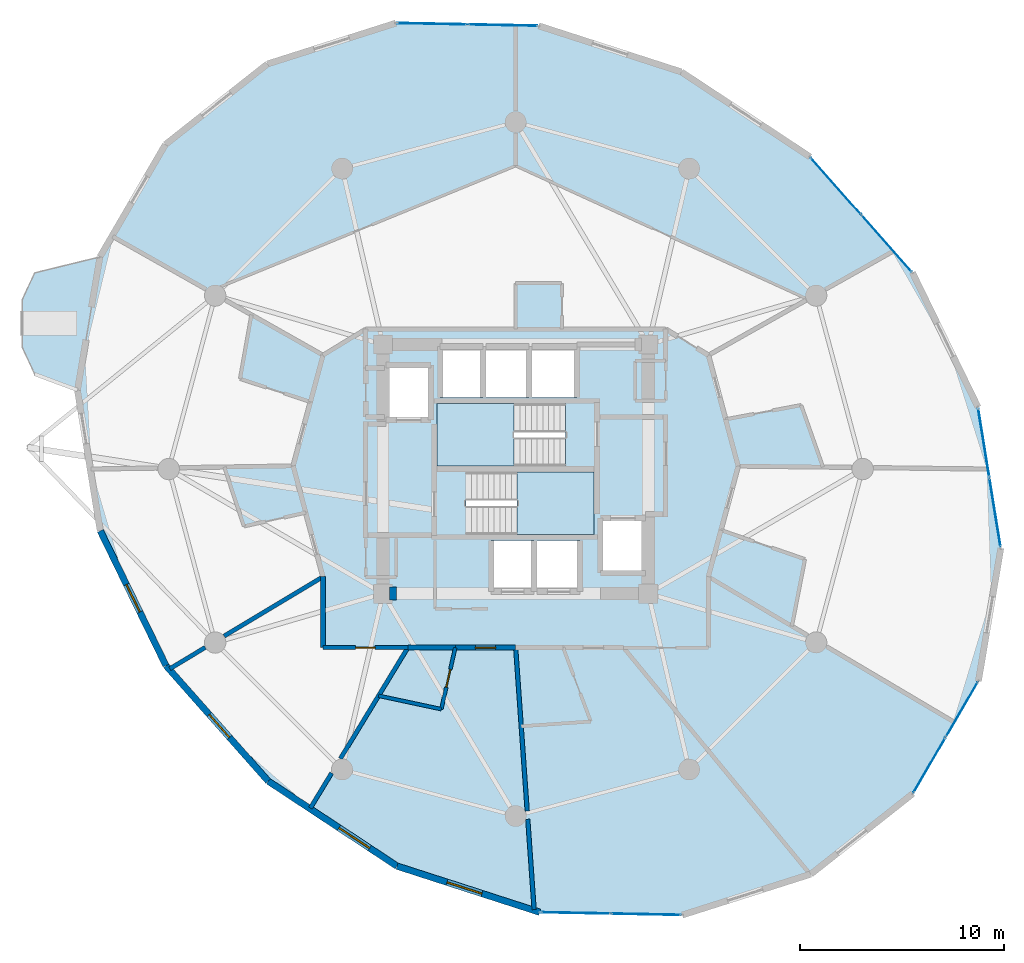
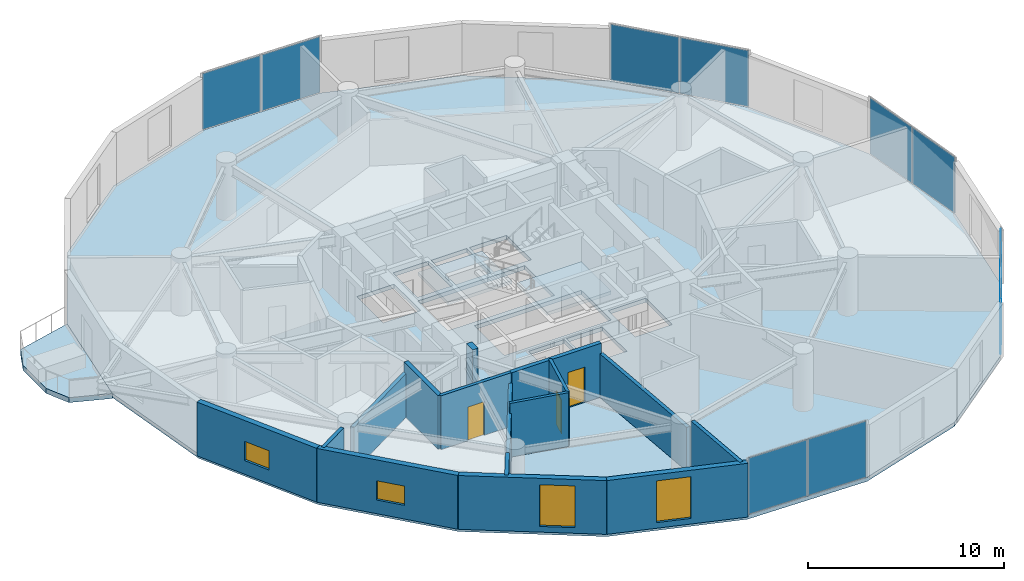
# One storey, part 14 of 20: 17 walls, 10 plates, 4 slabs, 4 windows, 3 doors, 7 openings, 7 elements without a shape of their own.
"""IFC4 building model written with IfcOpenShell, lengths in metres."""

from ifc_helpers import new_model, si_unit, direction, frame, frame_2d, origin, origin_2d, place, context, subcontext, project, spatial, polyline, rectangle, outline, extrude, source, transform, mapped, material, layer, layer_set, type_object, element, fill, aggregate, save


model = new_model("IFC4")

# Units and contexts
model_context = context("Model", 3, precision=1e-05, world=origin(), true_north=direction((0.0, 1.0)))
body_context = subcontext(model_context, "Body", "Model", "MODEL_VIEW")
ifc_project = project(units=[si_unit("LENGTHUNIT", "METRE"), si_unit("AREAUNIT", "SQUARE_METRE"), si_unit("VOLUMEUNIT", "CUBIC_METRE"), si_unit("PLANEANGLEUNIT", "RADIAN"), si_unit("MASSUNIT", "GRAM", prefix="KILO")], contexts=[model_context])

# Site, building, storey
site_placement = place(None, origin())
site = spatial("IfcSite", under=ifc_project, at=site_placement, CompositionType="ELEMENT")
building_placement = place(site_placement, origin())
building = spatial("IfcBuilding", under=site, at=building_placement, Name="Solvirekh Grand Hotel", CompositionType="ELEMENT")
storey_placement = place(building_placement, frame((0.0, 0.0, 135.0)))
storey = spatial("IfcBuildingStorey", under=building, at=storey_placement, Name="L34", CompositionType="ELEMENT", Elevation=135.0)

# Slab
ifc_material_1 = material(Name="Concrete C50/60", Category="concrete")
ifc_layer_1 = layer(ifc_material_1, 0.31005859375)
ifc_layer_set_1 = layer_set([ifc_layer_1], Name="Concrete C50/60")
slab_type_1 = type_object("IfcSlabType", Name="ExtHornSkyGarden_310", PredefinedType="FLOOR", material=ifc_layer_set_1)
slab_1_placement = place(storey_placement, frame((0.0, 0.0, -0.31005859375)))
element("IfcSlab", 1, at=slab_1_placement, inside=storey, type_object=slab_type_1, Name="L34 west horn sky-garden deck", PredefinedType="FLOOR", context=body_context, shape_type="SweptSolid", body=[
    extrude(outline(polyline([(-23.568115234375, 9.610107421875), (-24.16796875, 8.305908203125), (-24.16796875, 5.958984375), (-23.568115234375, 4.655029296875), (-21.468017578125, 3.8720703125), (-20.368896484375, 10.39306640625), (-23.568115234375, 9.610107421875)])), origin(), (0.0, 0.0, 1.0), 0.31005859375),
])

# Stair, slab
ifc_material_2 = material(Name="Concrete C40/50", Category="concrete")
stair_type = type_object("IfcStairType", Name="Stair_Core_1450", PredefinedType="HALF_TURN_STAIR", material=ifc_material_2)
stair_1_placement = place(storey_placement, origin())
stair_1 = element("IfcStair", 2, at=stair_1_placement, inside=storey, type_object=stair_type, Name="L34 Enclosed exit stair ST-1", PredefinedType="HALF_TURN_STAIR")
ifc_layer_2 = layer(ifc_material_2, 0.199951171875)
ifc_layer_set_2 = layer_set([ifc_layer_2], Name="Concrete C40/50")
slab_type_2 = type_object("IfcSlabType", Name="Landing_Stair_200", PredefinedType="LANDING", material=ifc_layer_set_2)
slab_2_placement = place(storey_placement, frame((0.0, 0.0, 1.60009765625)))
slab_2 = element("IfcSlab", 3, at=slab_2_placement, type_object=slab_type_2, Name="ST-1 landing 1", PredefinedType="LANDING", context=body_context, shape_type="SweptSolid", body=[
    extrude(outline(polyline([(0.070068359375, -3.199951171875), (3.85009765625, -3.199951171875), (3.85009765625, -0.14990234375), (0.070068359375, -0.14990234375), (0.070068359375, -3.199951171875)])), origin(), (0.0, 0.0, 1.0), 0.199951171875),
])
aggregate(stair_1, [slab_2])

stair_2_placement = place(storey_placement, origin())
stair_2 = element("IfcStair", 4, at=stair_2_placement, inside=storey, type_object=stair_type, Name="L34 Enclosed exit stair ST-2", PredefinedType="HALF_TURN_STAIR")
slab_3_placement = place(storey_placement, frame((0.0, 0.0, 1.60009765625)))
slab_3 = element("IfcSlab", 5, at=slab_3_placement, type_object=slab_type_2, Name="ST-2 landing 1", PredefinedType="LANDING", context=body_context, shape_type="SweptSolid", body=[
    extrude(outline(polyline([(-0.070068359375, 3.199951171875), (-3.85009765625, 3.199951171875), (-3.85009765625, 0.14990234375), (-0.070068359375, 0.14990234375), (-0.070068359375, 3.199951171875)])), origin(), (0.0, 0.0, 1.0), 0.199951171875),
])
aggregate(stair_2, [slab_3])

# Slab
ifc_layer_3 = layer(ifc_material_1, 0.25)
ifc_layer_set_3 = layer_set([ifc_layer_3], Name="Concrete C50/60")
slab_type_3 = type_object("IfcSlabType", Name="Slab_GuestZ2_250", PredefinedType="FLOOR", material=ifc_layer_set_3)
slab_4_placement = place(storey_placement, frame((0.0, 0.0, -0.25)))
element("IfcSlab", 6, at=slab_4_placement, inside=storey, type_object=slab_type_3, Name="L34 structural floor slab", PredefinedType="FLOOR", context=body_context, shape_type="SweptSolid", body=[
    extrude(outline(polyline([(19.462890625, -15.89697265625), (22.6689453125, -10.39306640625), (23.76806640625, -3.8720703125), (22.653076171875, 3.028076171875), (19.43408203125, 9.631103515625), (14.425048828125, 15.2919921875), (8.115966796875, 19.4560546875), (1.125, 21.715087890625), (-5.863037109375, 21.84912109375), (-12.1640625, 19.843994140625), (-17.1630859375, 15.89697265625), (-20.368896484375, 10.39306640625), (-21.468017578125, 3.8720703125), (-20.35302734375, -3.028076171875), (-17.134033203125, -9.631103515625), (-12.125, -15.2919921875), (-5.81591796875, -19.4560546875), (1.175048828125, -21.715087890625), (8.1630859375, -21.84912109375), (14.464111328125, -19.843994140625), (19.462890625, -15.89697265625)]), holes=[polyline([(-2.444091796875, -0.14990234375), (3.85009765625, -0.14990234375), (3.85009765625, -3.199951171875), (-2.444091796875, -3.199951171875), (-2.444091796875, -0.14990234375)]), polyline([(2.444091796875, 0.14990234375), (-3.85009765625, 0.14990234375), (-3.85009765625, 3.199951171875), (2.444091796875, 3.199951171875), (2.444091796875, 0.14990234375)]), polyline([(-1.199951171875, -3.5), (0.89990234375, -3.5), (0.89990234375, -6.0), (-1.199951171875, -6.0), (-1.199951171875, -3.5)]), polyline([(1.050048828125, -3.5), (3.14990234375, -3.5), (3.14990234375, -6.0), (1.050048828125, -6.0), (1.050048828125, -3.5)]), polyline([(-3.699951171875, 6.0), (-1.60009765625, 6.0), (-1.60009765625, 3.5), (-3.699951171875, 3.5), (-3.699951171875, 6.0)]), polyline([(-1.449951171875, 6.0), (0.64990234375, 6.0), (0.64990234375, 3.5), (-1.449951171875, 3.5), (-1.449951171875, 6.0)]), polyline([(0.800048828125, 6.0), (3.0, 6.0), (3.0, 3.5), (0.800048828125, 3.5), (0.800048828125, 6.0)]), polyline([(-6.35009765625, 5.10009765625), (-4.14990234375, 5.10009765625), (-4.14990234375, 2.39990234375), (-6.35009765625, 2.39990234375), (-6.35009765625, 5.10009765625)]), polyline([(4.14990234375, -2.39990234375), (6.35009765625, -2.39990234375), (6.35009765625, -5.10009765625), (4.14990234375, -5.10009765625), (4.14990234375, -2.39990234375)])]), origin(), (0.0, 0.0, 1.0), 0.25),
])

# Curtain wall, plates
ifc_material_3 = material(Name="Anodized Bronze Aluminium 6063-T6", Category="aluminium")
ifc_layer_4 = layer(ifc_material_3, 0.175048828125)
ifc_layer_set_4 = layer_set([ifc_layer_4], Name="Anodized Bronze Aluminium 6063-T6")
curtain_wall_type = type_object("IfcCurtainWallType", Name="CW_Sys3_MidZoneFlushBronzeCW", PredefinedType="NOTDEFINED", material=ifc_layer_set_4)
curtain_wall_1_placement = place(storey_placement, origin())
curtain_wall_1 = element("IfcCurtainWall", 7, at=curtain_wall_1_placement, inside=storey, type_object=curtain_wall_type, Name="L34 unitised bronze-glass curtain wall CW-L34-C03", PredefinedType="NOTDEFINED")
ifc_material_4 = material(Name="Low-E Tinted Bronze Laminated Glass", Category="aluminium")
ifc_layer_5 = layer(ifc_material_4, 0.035888671875)
ifc_layer_set_5 = layer_set([ifc_layer_5], Name="Low-E Tinted Bronze Laminated Glass")
plate_type = type_object("IfcPlateType", Name="CWPanel_Mid_36", PredefinedType="CURTAIN_PANEL", material=ifc_layer_set_5)
shared_shape_1 = source(origin(), body_context, "Body", "SweptSolid", [
    extrude(rectangle(XDim=3.397216796875, YDim=0.035888671875, at=origin_2d()), origin(), (0.0, 0.0, 1.0), 3.489990234375),
])
plate_1_placement = place(storey_placement, frame((23.486572265625, -2.130859375, 0.05517578125), z_axis=(0.0, 0.0, 1.0), x_axis=(-0.159524814429, 0.987193918935, 0.0)))
plate_1 = element("IfcPlate", 8, at=plate_1_placement, type_object=plate_type, Name="U03 panel 1.1", PredefinedType="CURTAIN_PANEL", context=body_context, shape_type="MappedRepresentation", body=[
    mapped(shared_shape_1, transform((0.0, 0.0, 0.0), x_axis=(1.0, 0.0, 0.0), y_axis=(0.0, 1.0, 0.0), z_axis=(0.0, 0.0, 1.0), scale=1.0)),
])
plate_2_placement = place(storey_placement, frame((22.934326171875, 1.286865234375, 0.05517578125), z_axis=(0.0, 0.0, 1.0), x_axis=(-0.159524814429, 0.987193918935, 0.0)))
plate_2 = element("IfcPlate", 9, at=plate_2_placement, type_object=plate_type, Name="U03 panel 2.1", PredefinedType="CURTAIN_PANEL", context=body_context, shape_type="MappedRepresentation", body=[
    mapped(shared_shape_1, transform((0.0, 0.0, 0.0), x_axis=(1.0, 0.0, 0.0), y_axis=(0.0, 1.0, 0.0), z_axis=(0.0, 0.0, 1.0), scale=1.0)),
])
aggregate(curtain_wall_1, [plate_1, plate_2])

curtain_wall_2_placement = place(storey_placement, origin())
curtain_wall_2 = element("IfcCurtainWall", 10, at=curtain_wall_2_placement, inside=storey, type_object=curtain_wall_type, Name="L34 unitised bronze-glass curtain wall CW-L34-C08", PredefinedType="NOTDEFINED")
plate_3_placement = place(storey_placement, frame((-0.63818359375, 21.748779296875, 0.05517578125), z_axis=(0.0, 0.0, 1.0), x_axis=(-0.999816196381, 0.019172205256, 0.0)))
plate_3 = element("IfcPlate", 11, at=plate_3_placement, type_object=plate_type, Name="U03 panel 1.1", PredefinedType="CURTAIN_PANEL", context=body_context, shape_type="MappedRepresentation", body=[
    mapped(shared_shape_1, transform((0.0, 0.0, 0.0), x_axis=(1.0, 0.0, 0.0), y_axis=(0.0, 1.0, 0.0), z_axis=(0.0, 0.0, 1.0), scale=1.0)),
])
plate_4_placement = place(storey_placement, frame((-4.099853515625, 21.815185546875, 0.05517578125), z_axis=(0.0, 0.0, 1.0), x_axis=(-0.999816196381, 0.019172205256, 0.0)))
plate_4 = element("IfcPlate", 12, at=plate_4_placement, type_object=plate_type, Name="U03 panel 2.1", PredefinedType="CURTAIN_PANEL", context=body_context, shape_type="MappedRepresentation", body=[
    mapped(shared_shape_1, transform((0.0, 0.0, 0.0), x_axis=(1.0, 0.0, 0.0), y_axis=(0.0, 1.0, 0.0), z_axis=(0.0, 0.0, 1.0), scale=1.0)),
])
aggregate(curtain_wall_2, [plate_3, plate_4])

curtain_wall_3_placement = place(storey_placement, origin())
curtain_wall_3 = element("IfcCurtainWall", 13, at=curtain_wall_3_placement, inside=storey, type_object=curtain_wall_type, Name="L34 unitised bronze-glass curtain wall CW-L34-C18", PredefinedType="NOTDEFINED")
plate_5_placement = place(storey_placement, frame((2.938232421875, -21.748779296875, 0.05517578125), z_axis=(0.0, 0.0, 1.0), x_axis=(0.999816196381, -0.019172205256, 0.0)))
plate_5 = element("IfcPlate", 14, at=plate_5_placement, type_object=plate_type, Name="U03 panel 1.1", PredefinedType="CURTAIN_PANEL", context=body_context, shape_type="MappedRepresentation", body=[
    mapped(shared_shape_1, transform((0.0, 0.0, 0.0), x_axis=(1.0, 0.0, 0.0), y_axis=(0.0, 1.0, 0.0), z_axis=(0.0, 0.0, 1.0), scale=1.0)),
])
plate_6_placement = place(storey_placement, frame((6.399658203125, -21.815185546875, 0.05517578125), z_axis=(0.0, 0.0, 1.0), x_axis=(0.999816196381, -0.019172205256, 0.0)))
plate_6 = element("IfcPlate", 15, at=plate_6_placement, type_object=plate_type, Name="U03 panel 2.1", PredefinedType="CURTAIN_PANEL", context=body_context, shape_type="MappedRepresentation", body=[
    mapped(shared_shape_1, transform((0.0, 0.0, 0.0), x_axis=(1.0, 0.0, 0.0), y_axis=(0.0, 1.0, 0.0), z_axis=(0.0, 0.0, 1.0), scale=1.0)),
])
aggregate(curtain_wall_3, [plate_5, plate_6])

curtain_wall_4_placement = place(storey_placement, origin())
curtain_wall_4 = element("IfcCurtainWall", 16, at=curtain_wall_4_placement, inside=storey, type_object=curtain_wall_type, Name="L34 unitised bronze-glass curtain wall CW-L34-C05", PredefinedType="NOTDEFINED")
shared_shape_2 = source(origin(), body_context, "Body", "SweptSolid", [
    extrude(rectangle(XDim=3.681884765625, YDim=0.035888671875, at=origin_2d()), origin(), (0.0, 0.0, 1.0), 3.489990234375),
])
plate_7_placement = place(storey_placement, frame((18.1708984375, 11.058349609375, 0.05517578125), z_axis=(0.0, 0.0, 1.0), x_axis=(-0.662662366574, 0.748918278537, 0.0)))
plate_7 = element("IfcPlate", 17, at=plate_7_placement, type_object=plate_type, Name="U03 panel 1.1", PredefinedType="CURTAIN_PANEL", context=body_context, shape_type="MappedRepresentation", body=[
    mapped(shared_shape_2, transform((0.0, 0.0, 0.0), x_axis=(1.0, 0.0, 0.0), y_axis=(0.0, 1.0, 0.0), z_axis=(0.0, 0.0, 1.0), scale=1.0)),
])
plate_8_placement = place(storey_placement, frame((15.68798828125, 13.864501953125, 0.05517578125), z_axis=(0.0, 0.0, 1.0), x_axis=(-0.662662366574, 0.748918278537, 0.0)))
plate_8 = element("IfcPlate", 18, at=plate_8_placement, type_object=plate_type, Name="U03 panel 2.1", PredefinedType="CURTAIN_PANEL", context=body_context, shape_type="MappedRepresentation", body=[
    mapped(shared_shape_2, transform((0.0, 0.0, 0.0), x_axis=(1.0, 0.0, 0.0), y_axis=(0.0, 1.0, 0.0), z_axis=(0.0, 0.0, 1.0), scale=1.0)),
])
aggregate(curtain_wall_4, [plate_7, plate_8])

curtain_wall_5_placement = place(storey_placement, origin())
curtain_wall_5 = element("IfcCurtainWall", 19, at=curtain_wall_5_placement, inside=storey, type_object=curtain_wall_type, Name="L34 unitised bronze-glass curtain wall CW-L34-C01", PredefinedType="NOTDEFINED")
shared_shape_3 = source(origin(), body_context, "Body", "SweptSolid", [
    extrude(rectangle(XDim=3.08740234375, YDim=0.035888671875, at=origin_2d()), origin(), (0.0, 0.0, 1.0), 3.489990234375),
])
plate_9_placement = place(storey_placement, frame((20.272705078125, -14.507080078125, 0.05517578125), z_axis=(0.0, 0.0, 1.0), x_axis=(0.503324291014, 0.864097597541, 0.0)))
plate_9 = element("IfcPlate", 20, at=plate_9_placement, type_object=plate_type, Name="U03 panel 1.1", PredefinedType="CURTAIN_PANEL", context=body_context, shape_type="MappedRepresentation", body=[
    mapped(shared_shape_3, transform((0.0, 0.0, 0.0), x_axis=(1.0, 0.0, 0.0), y_axis=(0.0, 1.0, 0.0), z_axis=(0.0, 0.0, 1.0), scale=1.0)),
])
plate_10_placement = place(storey_placement, frame((21.859375, -11.782958984375, 0.05517578125), z_axis=(0.0, 0.0, 1.0), x_axis=(0.503324291014, 0.864097597541, 0.0)))
plate_10 = element("IfcPlate", 21, at=plate_10_placement, type_object=plate_type, Name="U03 panel 2.1", PredefinedType="CURTAIN_PANEL", context=body_context, shape_type="MappedRepresentation", body=[
    mapped(shared_shape_3, transform((0.0, 0.0, 0.0), x_axis=(1.0, 0.0, 0.0), y_axis=(0.0, 1.0, 0.0), z_axis=(0.0, 0.0, 1.0), scale=1.0)),
])
aggregate(curtain_wall_5, [plate_9, plate_10])

# Wall
ifc_layer_6 = layer(ifc_material_1, 0.64990234375)
ifc_layer_set_6 = layer_set([ifc_layer_6], Name="Concrete C50/60")
wall_type_1 = type_object("IfcWallType", Name="CoreWall_RC650", PredefinedType="SHEAR", material=ifc_layer_set_6)
wall_1_placement = place(storey_placement, frame((-6.175048828125, -6.10009765625, 0.0), z_axis=(0.0, 0.0, 1.0), x_axis=(1.0, 0.0, 0.0)))
element("IfcWall", 22, at=wall_1_placement, inside=storey, type_object=wall_type_1, Name="L34 core corner shear wall SW-S", PredefinedType="SHEAR", context=body_context, shape_type="SweptSolid", body=[
    extrude(rectangle(XDim=0.324951171875, YDim=0.64990234375, at=frame_2d((0.16259765625, 0.0))), origin(), (0.0, 0.0, 1.0), 3.60009765625),
])

# Wall, opening, window
ifc_material_5 = material(Name="Precast concrete C45/55", Category="concrete")
ifc_layer_7 = layer(ifc_material_5, 0.320068359375)
ifc_layer_set_7 = layer_set([ifc_layer_7], Name="Precast concrete C45/55")
wall_type_2 = type_object("IfcWallType", Name="ExtLobbyWall_RC320", PredefinedType="SOLIDWALL", material=ifc_layer_set_7)
wall_2_placement = place(storey_placement, frame((-17.134033203125, -9.631103515625, 0.0), z_axis=(0.0, 0.0, 1.0), x_axis=(-0.438204261182, 0.898875422671, 0.0)))
wall_2 = element("IfcWall", 23, at=wall_2_placement, inside=storey, type_object=wall_type_2, Name="L34 cantilevered deck support wall chord 14", PredefinedType="SOLIDWALL", context=body_context, shape_type="SweptSolid", body=[
    extrude(rectangle(XDim=7.345947265625, YDim=0.320068359375, at=frame_2d((3.6728515625, 0.0))), origin(), (0.0, 0.0, 1.0), 3.35009765625),
])
opening_1_placement = place(wall_2_placement, frame((2.923095703125, 0.0, 0.85009765625)))
opening_1 = element("IfcOpeningElement", 24, at=opening_1_placement, cuts=wall_2, Name="Opening W05", PredefinedType="OPENING", context=body_context, shape_type="SweptSolid", body=[
    extrude(rectangle(XDim=1.5, YDim=1.199951171875, at=frame_2d((0.75, 0.60009765625))), frame((0.0, 0.169921875, 0.0), z_axis=(0.0, -1.0, 0.0), x_axis=(1.0, 0.0, 0.0)), (0.0, 0.0, 1.0), 0.340087890625),
])
window_type_1 = type_object("IfcWindowType", Name="Win_PlantVent_1500X1200", PartitioningType="SINGLE_PANEL", PredefinedType="WINDOW", material=ifc_material_4)
window_1_placement = place(opening_1_placement, origin())
window_1 = element("IfcWindow", 25, at=window_1_placement, inside=storey, type_object=window_type_1, Name="L34 bronze-framed vision ribbon window 14", OverallHeight=1.199951171875, OverallWidth=1.5, PartitioningType="SINGLE_PANEL", PredefinedType="WINDOW", context=body_context, shape_type="SweptSolid", body=[
    extrude(rectangle(XDim=1.5, YDim=1.199951171875, at=frame_2d((0.75, 0.60009765625))), frame((0.0, 0.030029296875, 0.0), z_axis=(0.0, -1.0, 0.0), x_axis=(1.0, 0.0, 0.0)), (0.0, 0.0, 1.0), 0.06005859375),
])
fill(opening_1, window_1)

wall_3_placement = place(storey_placement, frame((-12.125, -15.2919921875, 0.0), z_axis=(0.0, 0.0, 1.0), x_axis=(-0.662672139557, 0.748909631033, 0.0)))
wall_3 = element("IfcWall", 26, at=wall_3_placement, inside=storey, type_object=wall_type_2, Name="L34 cantilevered deck support wall chord 15", PredefinedType="SOLIDWALL", context=body_context, shape_type="SweptSolid", body=[
    extrude(rectangle(XDim=7.558837890625, YDim=0.320068359375, at=frame_2d((3.779296875, 0.0))), origin(), (0.0, 0.0, 1.0), 3.35009765625),
])
opening_2_placement = place(wall_3_placement, frame((2.860107421875, 0.0, 0.85009765625)))
opening_2 = element("IfcOpeningElement", 27, at=opening_2_placement, cuts=wall_3, Name="Opening W05", PredefinedType="OPENING", context=body_context, shape_type="SweptSolid", body=[
    extrude(rectangle(XDim=1.5, YDim=1.199951171875, at=frame_2d((0.75, 0.60009765625))), frame((0.0, 0.169921875, 0.0), z_axis=(0.0, -1.0, 0.0), x_axis=(1.0, 0.0, 0.0)), (0.0, 0.0, 1.0), 0.340087890625),
])
window_2_placement = place(opening_2_placement, origin())
window_2 = element("IfcWindow", 28, at=window_2_placement, inside=storey, type_object=window_type_1, Name="L34 bronze-framed vision ribbon window 15", OverallHeight=1.199951171875, OverallWidth=1.5, PartitioningType="SINGLE_PANEL", PredefinedType="WINDOW", context=body_context, shape_type="SweptSolid", body=[
    extrude(rectangle(XDim=1.5, YDim=1.199951171875, at=frame_2d((0.75, 0.60009765625))), frame((0.0, 0.030029296875, 0.0), z_axis=(0.0, -1.0, 0.0), x_axis=(1.0, 0.0, 0.0)), (0.0, 0.0, 1.0), 0.06005859375),
])
fill(opening_2, window_2)

wall_4_placement = place(storey_placement, frame((-5.81591796875, -19.4560546875, 0.0), z_axis=(0.0, 0.0, 1.0), x_axis=(-0.834605249122, 0.550848507431, 0.0)))
wall_4 = element("IfcWall", 29, at=wall_4_placement, inside=storey, type_object=wall_type_2, Name="L34 exterior structural wall chord 16", PredefinedType="SOLIDWALL", context=body_context, shape_type="SweptSolid", body=[
    extrude(rectangle(XDim=7.559326171875, YDim=0.320068359375, at=frame_2d((3.77978515625, 0.0))), origin(), (0.0, 0.0, 1.0), 3.35009765625),
])
opening_3_placement = place(wall_4_placement, frame((1.60498046875, 0.0, 0.35009765625)))
opening_3 = element("IfcOpeningElement", 30, at=opening_3_placement, cuts=wall_4, Name="Opening W02", PredefinedType="OPENING", context=body_context, shape_type="SweptSolid", body=[
    extrude(rectangle(XDim=1.800048828125, YDim=2.60009765625, at=frame_2d((0.89990234375, 1.300048828125))), frame((0.0, 0.169921875, 0.0), z_axis=(0.0, -1.0, 0.0), x_axis=(1.0, 0.0, 0.0)), (0.0, 0.0, 1.0), 0.340087890625),
])
window_type_2 = type_object("IfcWindowType", Name="Win_LobbyExt_1800X2600", PartitioningType="SINGLE_PANEL", PredefinedType="WINDOW", material=ifc_material_4)
window_3_placement = place(opening_3_placement, origin())
window_3 = element("IfcWindow", 31, at=window_3_placement, inside=storey, type_object=window_type_2, Name="L34 panoramic bronze-framed window 16", OverallHeight=2.60009765625, OverallWidth=1.800048828125, PartitioningType="SINGLE_PANEL", PredefinedType="WINDOW", context=body_context, shape_type="SweptSolid", body=[
    extrude(rectangle(XDim=1.800048828125, YDim=2.60009765625, at=frame_2d((0.89990234375, 1.300048828125))), frame((0.0, 0.030029296875, 0.0), z_axis=(0.0, -1.0, 0.0), x_axis=(1.0, 0.0, 0.0)), (0.0, 0.0, 1.0), 0.06005859375),
])
fill(opening_3, window_3)

wall_5_placement = place(storey_placement, frame((1.175048828125, -21.715087890625, 0.0), z_axis=(0.0, 0.0, 1.0), x_axis=(-0.951554090089, 0.307481403722, 0.0)))
wall_5 = element("IfcWall", 32, at=wall_5_placement, inside=storey, type_object=wall_type_2, Name="L34 exterior structural wall chord 17", PredefinedType="SOLIDWALL", context=body_context, shape_type="SweptSolid", body=[
    extrude(rectangle(XDim=7.346923828125, YDim=0.320068359375, at=frame_2d((3.67333984375, 0.0))), origin(), (0.0, 0.0, 1.0), 3.35009765625),
])
opening_4_placement = place(wall_5_placement, frame((2.970947265625, 0.0, 0.35009765625)))
opening_4 = element("IfcOpeningElement", 33, at=opening_4_placement, cuts=wall_5, Name="Opening W02", PredefinedType="OPENING", context=body_context, shape_type="SweptSolid", body=[
    extrude(rectangle(XDim=1.800048828125, YDim=2.60009765625, at=frame_2d((0.89990234375, 1.300048828125))), frame((0.0, 0.169921875, 0.0), z_axis=(0.0, -1.0, 0.0), x_axis=(1.0, 0.0, 0.0)), (0.0, 0.0, 1.0), 0.340087890625),
])
window_4_placement = place(opening_4_placement, origin())
window_4 = element("IfcWindow", 34, at=window_4_placement, inside=storey, type_object=window_type_2, Name="L34 panoramic bronze-framed window 17", OverallHeight=2.60009765625, OverallWidth=1.800048828125, PartitioningType="SINGLE_PANEL", PredefinedType="WINDOW", context=body_context, shape_type="SweptSolid", body=[
    extrude(rectangle(XDim=1.800048828125, YDim=2.60009765625, at=frame_2d((0.89990234375, 1.300048828125))), frame((0.0, 0.030029296875, 0.0), z_axis=(0.0, -1.0, 0.0), x_axis=(1.0, 0.0, 0.0)), (0.0, 0.0, 1.0), 0.06005859375),
])
fill(opening_4, window_4)

# Walls
ifc_material_6 = material(Name="Acoustic Gypsum Partition Assembly")
ifc_layer_8 = layer(ifc_material_6, 0.239990234375)
ifc_layer_set_8 = layer_set([ifc_layer_8], Name="Acoustic Gypsum Partition Assembly")
wall_type_3 = type_object("IfcWallType", Name="Part_Corridor_240", PredefinedType="PARTITIONING", material=ifc_layer_set_8)
wall_6_placement = place(storey_placement, frame((-9.43994140625, -5.27490234375, 0.0), z_axis=(0.0, 0.0, 1.0), x_axis=(0.0, -1.0, 0.0)))
element("IfcWall", 35, at=wall_6_placement, inside=storey, type_object=wall_type_3, Name="L34 L34 Presidential Reception corridor wall 1", PredefinedType="PARTITIONING", context=body_context, shape_type="SweptSolid", body=[
    extrude(rectangle(XDim=3.47509765625, YDim=0.239990234375, at=frame_2d((1.737548828125, 0.0))), origin(), (0.0, 0.0, 1.0), 3.35009765625),
])
wall_7_placement = place(storey_placement, frame((-5.285888671875, -8.75, 0.0), z_axis=(0.0, 0.0, 1.0), x_axis=(1.0, 0.0, 0.0)))
element("IfcWall", 36, at=wall_7_placement, inside=storey, type_object=wall_type_3, Name="L34 En-suite Bathroom 3606 corridor backing wall", PredefinedType="PARTITIONING", context=body_context, shape_type="SweptSolid", body=[
    extrude(rectangle(XDim=2.325927734375, YDim=0.239990234375, at=frame_2d((1.1630859375, 0.0))), origin(), (0.0, 0.0, 1.0), 3.35009765625),
])

# Wall, opening, door
wall_8_placement = place(storey_placement, frame((-2.9599609375, -8.75, 0.0), z_axis=(0.0, 0.0, 1.0), x_axis=(1.0, 0.0, 0.0)))
wall_8 = element("IfcWall", 37, at=wall_8_placement, inside=storey, type_object=wall_type_3, Name="L34 Deluxe Guestroom 3606 entrance wall", PredefinedType="PARTITIONING", context=body_context, shape_type="SweptSolid", body=[
    extrude(rectangle(XDim=2.9599609375, YDim=0.239990234375, at=frame_2d((1.47998046875, 0.0))), origin(), (0.0, 0.0, 1.0), 3.35009765625),
])
opening_5_placement = place(wall_8_placement, frame((0.97998046875, 0.0, 0.0)))
opening_5 = element("IfcOpeningElement", 38, at=opening_5_placement, cuts=wall_8, Name="Opening D07", PredefinedType="OPENING", context=body_context, shape_type="SweptSolid", body=[
    extrude(rectangle(XDim=1.0, YDim=2.199951171875, at=frame_2d((0.5, 1.10009765625))), frame((0.0, 0.1298828125, 0.0), z_axis=(0.0, -1.0, 0.0), x_axis=(1.0, 0.0, 0.0)), (0.0, 0.0, 1.0), 0.260009765625),
])
ifc_material_7 = material(Name="Fire-Rated Steel Door Assembly", Category="steel")
door_type_1 = type_object("IfcDoorType", Name="Door_GuestEntry_1000X2200", OperationType="NOTDEFINED", PredefinedType="DOOR", material=ifc_material_7)
door_1_placement = place(opening_5_placement, origin())
door_1 = element("IfcDoor", 39, at=door_1_placement, inside=storey, type_object=door_type_1, Name="L34 Deluxe Guestroom 3606 entrance door", OperationType="SINGLE_SWING_RIGHT", OverallHeight=2.199951171875, OverallWidth=1.0, PredefinedType="DOOR", context=body_context, shape_type="SweptSolid", body=[
    extrude(rectangle(XDim=1.0, YDim=2.199951171875, at=frame_2d((0.5, 1.10009765625))), frame((0.0, 0.02490234375, 0.0), z_axis=(0.0, -1.0, 0.0), x_axis=(1.0, 0.0, 0.0)), (0.0, 0.0, 1.0), 0.050048828125),
])
fill(opening_5, door_1)

ifc_layer_9 = layer(ifc_material_6, 0.18994140625)
ifc_layer_set_9 = layer_set([ifc_layer_9], Name="Acoustic Gypsum Partition Assembly")
wall_type_4 = type_object("IfcWallType", Name="Part_GuestDemise_190", PredefinedType="PARTITIONING", material=ifc_layer_set_9)
wall_9_placement = place(storey_placement, frame((-9.43994140625, -8.75, 0.0), z_axis=(0.0, 0.0, 1.0), x_axis=(1.0, 0.0, 0.0)))
wall_9 = element("IfcWall", 40, at=wall_9_placement, inside=storey, type_object=wall_type_4, Name="L34 L34 Presidential Reception entrance wall", PredefinedType="PARTITIONING", context=body_context, shape_type="SweptSolid", body=[
    extrude(rectangle(XDim=4.154052734375, YDim=0.18994140625, at=frame_2d((2.0771484375, 0.0))), origin(), (0.0, 0.0, 1.0), 3.35009765625),
])
opening_6_placement = place(wall_9_placement, frame((1.60205078125, 0.0, 0.0)))
opening_6 = element("IfcOpeningElement", 41, at=opening_6_placement, cuts=wall_9, Name="Opening D10", PredefinedType="OPENING", context=body_context, shape_type="SweptSolid", body=[
    extrude(rectangle(XDim=0.949951171875, YDim=2.10009765625, at=frame_2d((0.47509765625, 1.050048828125))), frame((0.0, 0.10498046875, 0.0), z_axis=(0.0, -1.0, 0.0), x_axis=(1.0, 0.0, 0.0)), (0.0, 0.0, 1.0), 0.2099609375),
])
door_type_2 = type_object("IfcDoorType", Name="Door_RoomInt_950X2100", OperationType="NOTDEFINED", PredefinedType="DOOR", material=ifc_material_3)
door_2_placement = place(opening_6_placement, origin())
door_2 = element("IfcDoor", 42, at=door_2_placement, inside=storey, type_object=door_type_2, Name="L34 L34 Presidential Reception entrance door", OperationType="SINGLE_SWING_RIGHT", OverallHeight=2.10009765625, OverallWidth=0.949951171875, PredefinedType="DOOR", context=body_context, shape_type="SweptSolid", body=[
    extrude(rectangle(XDim=0.949951171875, YDim=2.10009765625, at=frame_2d((0.47509765625, 1.050048828125))), frame((0.0, 0.02490234375, 0.0), z_axis=(0.0, -1.0, 0.0), x_axis=(1.0, 0.0, 0.0)), (0.0, 0.0, 1.0), 0.050048828125),
])
fill(opening_6, door_2)

# Walls
ifc_layer_10 = layer(ifc_material_6, 0.2099609375)
ifc_layer_set_10 = layer_set([ifc_layer_10], Name="Acoustic Gypsum Partition Assembly")
wall_type_5 = type_object("IfcWallType", Name="Part_SuiteDemise_210", PredefinedType="PARTITIONING", material=ifc_layer_set_10)
wall_10_placement = place(storey_placement, frame((-9.43994140625, -5.27490234375, 0.0), z_axis=(0.0, 0.0, 1.0), x_axis=(-0.857218051621, -0.514953601769, 0.0)))
element("IfcWall", 43, at=wall_10_placement, inside=storey, type_object=wall_type_5, Name="L34 suite radial wall 8 (A)", PredefinedType="PARTITIONING", context=body_context, shape_type="SweptSolid", body=[
    extrude(rectangle(XDim=5.64501953125, YDim=0.2099609375, at=frame_2d((2.822509765625, 0.0))), origin(), (0.0, 0.0, 1.0), 2.717041015625),
])
wall_11_placement = place(storey_placement, frame((-15.2109375, -8.740966796875, 0.0), z_axis=(0.0, 0.0, 1.0), x_axis=(-0.857077653739, -0.515187243108, 0.0)))
element("IfcWall", 44, at=wall_11_placement, inside=storey, type_object=wall_type_5, Name="L34 suite radial wall 8 (B)", PredefinedType="PARTITIONING", context=body_context, shape_type="SweptSolid", body=[
    extrude(rectangle(XDim=2.0244140625, YDim=0.2099609375, at=frame_2d((1.01220703125, 0.0))), origin(), (0.0, 0.0, 1.0), 3.35009765625),
])
wall_12_placement = place(storey_placement, frame((-5.285888671875, -8.75, 0.0), z_axis=(0.0, 0.0, 1.0), x_axis=(-0.519068318579, -0.854732753934, 0.0)))
element("IfcWall", 45, at=wall_12_placement, inside=storey, type_object=wall_type_5, Name="L34 L34 Presidential Reception dividing partition 1 (A)", PredefinedType="PARTITIONING", context=body_context, shape_type="SweptSolid", body=[
    extrude(rectangle(XDim=6.357666015625, YDim=0.2099609375, at=frame_2d((3.1787109375, 0.0))), origin(), (0.0, 0.0, 1.0), 2.717041015625),
])
wall_13_placement = place(storey_placement, frame((-9.01708984375, -14.89404296875, 0.0), z_axis=(0.0, 0.0, 1.0), x_axis=(-0.519143332801, -0.854687194246, 0.0)))
element("IfcWall", 46, at=wall_13_placement, inside=storey, type_object=wall_type_5, Name="L34 L34 Presidential Reception dividing partition 1 (B)", PredefinedType="PARTITIONING", context=body_context, shape_type="SweptSolid", body=[
    extrude(rectangle(XDim=2.00537109375, YDim=0.2099609375, at=frame_2d((1.002685546875, 0.0))), origin(), (0.0, 0.0, 1.0), 3.35009765625),
])
wall_14_placement = place(storey_placement, frame((0.0, -8.75, 0.0), z_axis=(0.0, 0.0, 1.0), x_axis=(0.07035465886, -0.997522040848, 0.0)))
element("IfcWall", 47, at=wall_14_placement, inside=storey, type_object=wall_type_5, Name="L34 Deluxe Guestroom 3606 dividing partition 1 (A)", PredefinedType="PARTITIONING", context=body_context, shape_type="SweptSolid", body=[
    extrude(rectangle(XDim=8.030029296875, YDim=0.2099609375, at=frame_2d((4.01513671875, 0.0))), origin(), (0.0, 0.0, 1.0), 2.717041015625),
])
wall_15_placement = place(storey_placement, frame((0.593017578125, -17.158935546875, 0.0), z_axis=(0.0, 0.0, 1.0), x_axis=(0.070273989048, -0.997527727165, 0.0)))
element("IfcWall", 48, at=wall_15_placement, inside=storey, type_object=wall_type_5, Name="L34 Deluxe Guestroom 3606 dividing partition 1 (B)", PredefinedType="PARTITIONING", context=body_context, shape_type="SweptSolid", body=[
    extrude(rectangle(XDim=4.43994140625, YDim=0.2099609375, at=frame_2d((2.219970703125, 0.0))), origin(), (0.0, 0.0, 1.0), 3.35009765625),
])
ifc_layer_11 = layer(ifc_material_6, 0.175048828125)
ifc_layer_set_11 = layer_set([ifc_layer_11], Name="Acoustic Gypsum Partition Assembly")
wall_type_6 = type_object("IfcWallType", Name="Plumb_Ensuite_175", PredefinedType="PLUMBINGWALL", material=ifc_layer_set_11)
wall_16_placement = place(storey_placement, frame((-6.718017578125, -11.10693359375, 0.0), z_axis=(0.0, 0.0, 1.0), x_axis=(0.977878450695, -0.209173936394, 0.0)))
element("IfcWall", 49, at=wall_16_placement, inside=storey, type_object=wall_type_6, Name="L34 En-suite Bathroom 3606 outer plumbing wall", PredefinedType="PLUMBINGWALL", context=body_context, shape_type="SweptSolid", body=[
    extrude(rectangle(XDim=3.1455078125, YDim=0.175048828125, at=frame_2d((1.57275390625, 0.0))), origin(), (0.0, 0.0, 1.0), 3.35009765625),
])

# Wall, opening, door
wall_17_placement = place(storey_placement, frame((-2.9599609375, -8.75, 0.0), z_axis=(0.0, 0.0, 1.0), x_axis=(-0.220675389146, -0.975347308719, 0.0)))
wall_17 = element("IfcWall", 50, at=wall_17_placement, inside=storey, type_object=wall_type_6, Name="L34 En-suite Bathroom 3606 entry plumbing wall", PredefinedType="PLUMBINGWALL", context=body_context, shape_type="SweptSolid", body=[
    extrude(rectangle(XDim=3.091064453125, YDim=0.175048828125, at=frame_2d((1.54541015625, 0.0))), origin(), (0.0, 0.0, 1.0), 3.35009765625),
])
opening_7_placement = place(wall_17_placement, frame((1.095947265625, 0.0, 0.0)))
opening_7 = element("IfcOpeningElement", 51, at=opening_7_placement, cuts=wall_17, Name="Opening D09", PredefinedType="OPENING", context=body_context, shape_type="SweptSolid", body=[
    extrude(rectangle(XDim=0.89990234375, YDim=2.10009765625, at=frame_2d((0.449951171875, 1.050048828125))), frame((0.0, 0.09765625, 0.0), z_axis=(0.0, -1.0, 0.0), x_axis=(1.0, 0.0, 0.0)), (0.0, 0.0, 1.0), 0.195068359375),
])
door_type_3 = type_object("IfcDoorType", Name="Door_Ensuite_900X2100", OperationType="NOTDEFINED", PredefinedType="DOOR", material=ifc_material_3)
door_3_placement = place(opening_7_placement, origin())
door_3 = element("IfcDoor", 52, at=door_3_placement, inside=storey, type_object=door_type_3, Name="L34 En-suite Bathroom 3606 door", OperationType="SINGLE_SWING_LEFT", OverallHeight=2.10009765625, OverallWidth=0.89990234375, PredefinedType="DOOR", context=body_context, shape_type="SweptSolid", body=[
    extrude(rectangle(XDim=0.89990234375, YDim=2.10009765625, at=frame_2d((0.449951171875, 1.050048828125))), frame((0.0, 0.02490234375, 0.0), z_axis=(0.0, -1.0, 0.0), x_axis=(1.0, 0.0, 0.0)), (0.0, 0.0, 1.0), 0.050048828125),
])
fill(opening_7, door_3)

save(model, "model.ifc")
